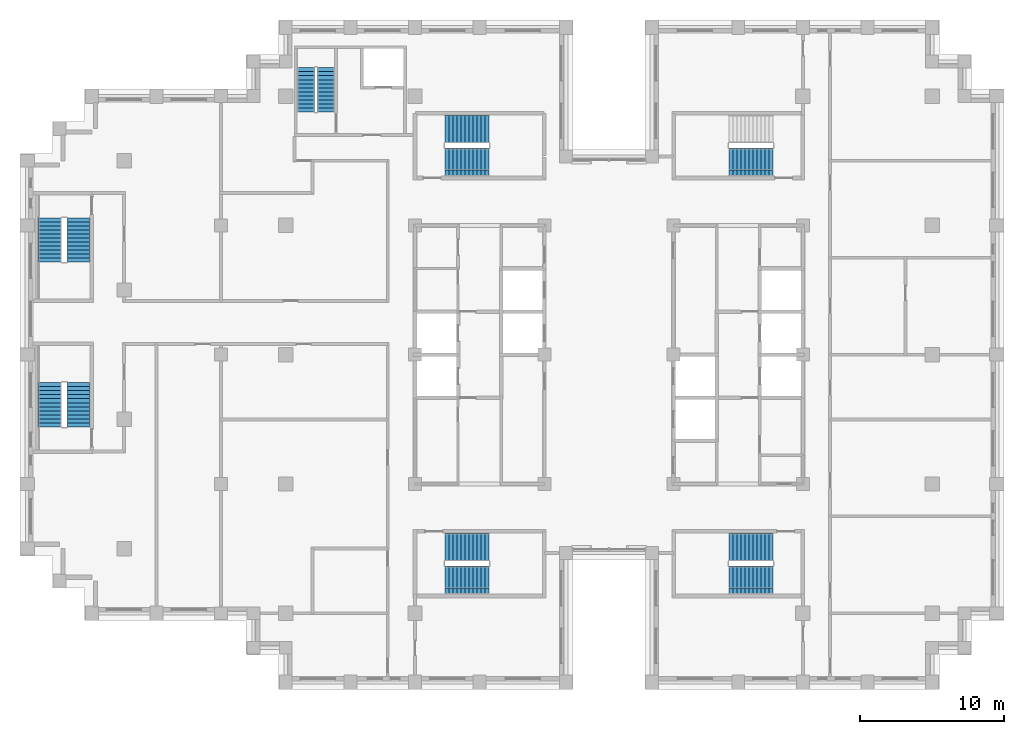
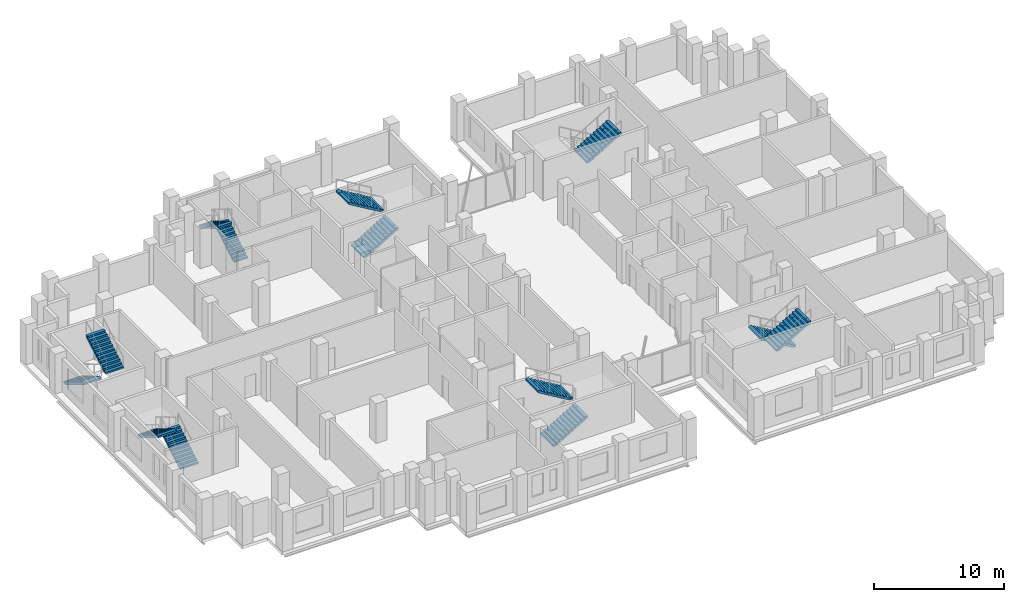
# One storey, part 12 of 15: 13 stair flights, 7 elements without a shape of their own.
"""IFC4 building model written with IfcOpenShell, lengths in metres."""

from ifc_helpers import new_model, si_unit, direction, frame, origin, place, context, subcontext, project, spatial, polyline, outline, extrude, material, type_object, element, aggregate, save


model = new_model("IFC4")

# Units and contexts
model_context = context("Model", 3, precision=1e-05, world=origin(), true_north=direction((0.0, 1.0)))
body_context = subcontext(model_context, "Body", "Model", "MODEL_VIEW")
ifc_project = project(units=[si_unit("LENGTHUNIT", "METRE"), si_unit("AREAUNIT", "SQUARE_METRE"), si_unit("VOLUMEUNIT", "CUBIC_METRE"), si_unit("PLANEANGLEUNIT", "RADIAN"), si_unit("MASSUNIT", "GRAM", prefix="KILO")], contexts=[model_context])

# Site, building, storey
site_placement = place(None, origin())
site = spatial("IfcSite", under=ifc_project, at=site_placement, CompositionType="ELEMENT")
building_placement = place(site_placement, origin())
building = spatial("IfcBuilding", under=site, at=building_placement, Name="Corbelhall Arena Tower", CompositionType="ELEMENT")
storey_placement = place(building_placement, frame((0.0, 0.0, 228.0)))
storey = spatial("IfcBuildingStorey", under=building, at=storey_placement, Name="L48", CompositionType="ELEMENT", Elevation=228.0)

# Stair, stair flights
ifc_material = material(Name="Concrete C40/50", Category="concrete")
stair_type = type_object("IfcStairType", Name="IN-ST-TOWER", PredefinedType="HALF_TURN_STAIR", material=ifc_material)
stair_1_placement = place(storey_placement, origin())
stair_1 = element("IfcStair", 1, at=stair_1_placement, inside=storey, type_object=stair_type, Name="L48 Exit stair ST1", PredefinedType="HALF_TURN_STAIR")
stair_flight_type = type_object("IfcStairFlightType", Name="IN-SFL-RC", PredefinedType="STRAIGHT", material=ifc_material)
stair_flight_1_placement = place(storey_placement, frame((-11.425048828125, 13.39990234375, 0.0), z_axis=(0.0, 0.0, 1.0), x_axis=(1.0, 0.0, 0.0)))
stair_flight_1 = element("IfcStairFlight", 2, at=stair_flight_1_placement, type_object=stair_flight_type, Name="ST1 flight 1", NumberOfRisers=12, NumberOfTreads=11, PredefinedType="STRAIGHT", RiserHeight=0.166666667, TreadLength=0.28, context=body_context, shape_type="SweptSolid", body=[
    extrude(outline(polyline([(0.0, 0.0), (0.0, 0.166748046875), (0.280029296875, 0.166748046875), (0.280029296875, 0.333251953125), (0.56005859375, 0.333251953125), (0.56005859375, 0.5), (0.840087890625, 0.5), (0.840087890625, 0.666748046875), (1.1201171875, 0.666748046875), (1.1201171875, 0.833251953125), (1.39990234375, 0.833251953125), (1.39990234375, 1.0), (1.679931640625, 1.0), (1.679931640625, 1.166748046875), (1.9599609375, 1.166748046875), (1.9599609375, 1.333251953125), (2.239990234375, 1.333251953125), (2.239990234375, 1.5), (2.52001953125, 1.5), (2.52001953125, 1.666748046875), (2.800048828125, 1.666748046875), (2.800048828125, 1.833251953125), (3.080078125, 1.833251953125), (3.080078125, 2.0), (3.080078125, 1.658935546875), (0.29296875, 0.0), (0.0, 0.0)])), frame((0.0, 0.97509765625, 0.0), z_axis=(0.0, -1.0, 0.0), x_axis=(1.0, 0.0, 0.0)), (0.0, 0.0, 1.0), 0.449951171875),
    extrude(outline(polyline([(0.0, 0.0), (0.0, 0.166748046875), (0.280029296875, 0.166748046875), (0.280029296875, 0.333251953125), (0.56005859375, 0.333251953125), (0.56005859375, 0.5), (0.840087890625, 0.5), (0.840087890625, 0.666748046875), (1.1201171875, 0.666748046875), (1.1201171875, 0.833251953125), (1.39990234375, 0.833251953125), (1.39990234375, 1.0), (1.679931640625, 1.0), (1.679931640625, 1.166748046875), (1.9599609375, 1.166748046875), (1.9599609375, 1.333251953125), (2.239990234375, 1.333251953125), (2.239990234375, 1.5), (2.52001953125, 1.5), (2.52001953125, 1.666748046875), (2.800048828125, 1.666748046875), (2.800048828125, 1.833251953125), (3.080078125, 1.833251953125), (3.080078125, 2.0), (3.080078125, 1.658935546875), (0.29296875, 0.0), (0.0, 0.0)])), frame((0.0, 0.52099609375, 0.0), z_axis=(0.0, -1.0, 0.0), x_axis=(1.0, 0.0, 0.0)), (0.0, 0.0, 1.0), 1.0419921875),
    extrude(outline(polyline([(0.0, 0.0), (0.0, 0.166748046875), (0.280029296875, 0.166748046875), (0.280029296875, 0.333251953125), (0.56005859375, 0.333251953125), (0.56005859375, 0.5), (0.840087890625, 0.5), (0.840087890625, 0.666748046875), (1.1201171875, 0.666748046875), (1.1201171875, 0.833251953125), (1.39990234375, 0.833251953125), (1.39990234375, 1.0), (1.679931640625, 1.0), (1.679931640625, 1.166748046875), (1.9599609375, 1.166748046875), (1.9599609375, 1.333251953125), (2.239990234375, 1.333251953125), (2.239990234375, 1.5), (2.52001953125, 1.5), (2.52001953125, 1.666748046875), (2.800048828125, 1.666748046875), (2.800048828125, 1.833251953125), (3.080078125, 1.833251953125), (3.080078125, 2.0), (3.080078125, 1.658935546875), (0.29296875, 0.0), (0.0, 0.0)])), frame((0.0, -0.52490234375, 0.0), z_axis=(0.0, -1.0, 0.0), x_axis=(1.0, 0.0, 0.0)), (0.0, 0.0, 1.0), 0.449951171875),
])
stair_flight_2_placement = place(storey_placement, frame((-8.344970703125, 15.699951171875, 2.0), z_axis=(0.0, 0.0, 1.0), x_axis=(-1.0, 0.0, 0.0)))
stair_flight_2 = element("IfcStairFlight", 3, at=stair_flight_2_placement, type_object=stair_flight_type, Name="ST1 flight 2", NumberOfRisers=12, NumberOfTreads=11, PredefinedType="STRAIGHT", RiserHeight=0.166666667, TreadLength=0.28, context=body_context, shape_type="SweptSolid", body=[
    extrude(outline(polyline([(0.0, 0.0), (0.0, 0.166748046875), (0.280029296875, 0.166748046875), (0.280029296875, 0.333251953125), (0.56005859375, 0.333251953125), (0.56005859375, 0.5), (0.840087890625, 0.5), (0.840087890625, 0.666748046875), (1.1201171875, 0.666748046875), (1.1201171875, 0.833251953125), (1.39990234375, 0.833251953125), (1.39990234375, 1.0), (1.679931640625, 1.0), (1.679931640625, 1.166748046875), (1.9599609375, 1.166748046875), (1.9599609375, 1.333251953125), (2.239990234375, 1.333251953125), (2.239990234375, 1.5), (2.52001953125, 1.5), (2.52001953125, 1.666748046875), (2.800048828125, 1.666748046875), (2.800048828125, 1.833251953125), (3.080078125, 1.833251953125), (3.080078125, 2.0), (3.080078125, 1.658935546875), (0.29296875, 0.0), (0.0, 0.0)])), frame((0.0, 0.97509765625, 0.0), z_axis=(0.0, -1.0, 0.0), x_axis=(1.0, 0.0, 0.0)), (0.0, 0.0, 1.0), 0.449951171875),
    extrude(outline(polyline([(0.0, 0.0), (0.0, 0.166748046875), (0.280029296875, 0.166748046875), (0.280029296875, 0.333251953125), (0.56005859375, 0.333251953125), (0.56005859375, 0.5), (0.840087890625, 0.5), (0.840087890625, 0.666748046875), (1.1201171875, 0.666748046875), (1.1201171875, 0.833251953125), (1.39990234375, 0.833251953125), (1.39990234375, 1.0), (1.679931640625, 1.0), (1.679931640625, 1.166748046875), (1.9599609375, 1.166748046875), (1.9599609375, 1.333251953125), (2.239990234375, 1.333251953125), (2.239990234375, 1.5), (2.52001953125, 1.5), (2.52001953125, 1.666748046875), (2.800048828125, 1.666748046875), (2.800048828125, 1.833251953125), (3.080078125, 1.833251953125), (3.080078125, 2.0), (3.080078125, 1.658935546875), (0.29296875, 0.0), (0.0, 0.0)])), frame((0.0, 0.52099609375, 0.0), z_axis=(0.0, -1.0, 0.0), x_axis=(1.0, 0.0, 0.0)), (0.0, 0.0, 1.0), 1.0419921875),
    extrude(outline(polyline([(0.0, 0.0), (0.0, 0.166748046875), (0.280029296875, 0.166748046875), (0.280029296875, 0.333251953125), (0.56005859375, 0.333251953125), (0.56005859375, 0.5), (0.840087890625, 0.5), (0.840087890625, 0.666748046875), (1.1201171875, 0.666748046875), (1.1201171875, 0.833251953125), (1.39990234375, 0.833251953125), (1.39990234375, 1.0), (1.679931640625, 1.0), (1.679931640625, 1.166748046875), (1.9599609375, 1.166748046875), (1.9599609375, 1.333251953125), (2.239990234375, 1.333251953125), (2.239990234375, 1.5), (2.52001953125, 1.5), (2.52001953125, 1.666748046875), (2.800048828125, 1.666748046875), (2.800048828125, 1.833251953125), (3.080078125, 1.833251953125), (3.080078125, 2.0), (3.080078125, 1.658935546875), (0.29296875, 0.0), (0.0, 0.0)])), frame((0.0, -0.52490234375, 0.0), z_axis=(0.0, -1.0, 0.0), x_axis=(1.0, 0.0, 0.0)), (0.0, 0.0, 1.0), 0.449951171875),
])
aggregate(stair_1, [stair_flight_1, stair_flight_2])

stair_2_placement = place(storey_placement, origin())
stair_2 = element("IfcStair", 4, at=stair_2_placement, inside=storey, type_object=stair_type, Name="L48 Exit stair ST2", PredefinedType="HALF_TURN_STAIR")
stair_flight_3_placement = place(storey_placement, frame((-11.425048828125, -15.699951171875, 0.0), z_axis=(0.0, 0.0, 1.0), x_axis=(1.0, 0.0, 0.0)))
stair_flight_3 = element("IfcStairFlight", 5, at=stair_flight_3_placement, type_object=stair_flight_type, Name="ST2 flight 1", NumberOfRisers=12, NumberOfTreads=11, PredefinedType="STRAIGHT", RiserHeight=0.166666667, TreadLength=0.28, context=body_context, shape_type="SweptSolid", body=[
    extrude(outline(polyline([(0.0, 0.0), (0.0, 0.166748046875), (0.280029296875, 0.166748046875), (0.280029296875, 0.333251953125), (0.56005859375, 0.333251953125), (0.56005859375, 0.5), (0.840087890625, 0.5), (0.840087890625, 0.666748046875), (1.1201171875, 0.666748046875), (1.1201171875, 0.833251953125), (1.39990234375, 0.833251953125), (1.39990234375, 1.0), (1.679931640625, 1.0), (1.679931640625, 1.166748046875), (1.9599609375, 1.166748046875), (1.9599609375, 1.333251953125), (2.239990234375, 1.333251953125), (2.239990234375, 1.5), (2.52001953125, 1.5), (2.52001953125, 1.666748046875), (2.800048828125, 1.666748046875), (2.800048828125, 1.833251953125), (3.080078125, 1.833251953125), (3.080078125, 2.0), (3.080078125, 1.658935546875), (0.29296875, 0.0), (0.0, 0.0)])), frame((0.0, 0.97509765625, 0.0), z_axis=(0.0, -1.0, 0.0), x_axis=(1.0, 0.0, 0.0)), (0.0, 0.0, 1.0), 0.449951171875),
    extrude(outline(polyline([(0.0, 0.0), (0.0, 0.166748046875), (0.280029296875, 0.166748046875), (0.280029296875, 0.333251953125), (0.56005859375, 0.333251953125), (0.56005859375, 0.5), (0.840087890625, 0.5), (0.840087890625, 0.666748046875), (1.1201171875, 0.666748046875), (1.1201171875, 0.833251953125), (1.39990234375, 0.833251953125), (1.39990234375, 1.0), (1.679931640625, 1.0), (1.679931640625, 1.166748046875), (1.9599609375, 1.166748046875), (1.9599609375, 1.333251953125), (2.239990234375, 1.333251953125), (2.239990234375, 1.5), (2.52001953125, 1.5), (2.52001953125, 1.666748046875), (2.800048828125, 1.666748046875), (2.800048828125, 1.833251953125), (3.080078125, 1.833251953125), (3.080078125, 2.0), (3.080078125, 1.658935546875), (0.29296875, 0.0), (0.0, 0.0)])), frame((0.0, 0.52099609375, 0.0), z_axis=(0.0, -1.0, 0.0), x_axis=(1.0, 0.0, 0.0)), (0.0, 0.0, 1.0), 1.0419921875),
    extrude(outline(polyline([(0.0, 0.0), (0.0, 0.166748046875), (0.280029296875, 0.166748046875), (0.280029296875, 0.333251953125), (0.56005859375, 0.333251953125), (0.56005859375, 0.5), (0.840087890625, 0.5), (0.840087890625, 0.666748046875), (1.1201171875, 0.666748046875), (1.1201171875, 0.833251953125), (1.39990234375, 0.833251953125), (1.39990234375, 1.0), (1.679931640625, 1.0), (1.679931640625, 1.166748046875), (1.9599609375, 1.166748046875), (1.9599609375, 1.333251953125), (2.239990234375, 1.333251953125), (2.239990234375, 1.5), (2.52001953125, 1.5), (2.52001953125, 1.666748046875), (2.800048828125, 1.666748046875), (2.800048828125, 1.833251953125), (3.080078125, 1.833251953125), (3.080078125, 2.0), (3.080078125, 1.658935546875), (0.29296875, 0.0), (0.0, 0.0)])), frame((0.0, -0.52490234375, 0.0), z_axis=(0.0, -1.0, 0.0), x_axis=(1.0, 0.0, 0.0)), (0.0, 0.0, 1.0), 0.449951171875),
])
stair_flight_4_placement = place(storey_placement, frame((-8.344970703125, -13.39990234375, 2.0), z_axis=(0.0, 0.0, 1.0), x_axis=(-1.0, 0.0, 0.0)))
stair_flight_4 = element("IfcStairFlight", 6, at=stair_flight_4_placement, type_object=stair_flight_type, Name="ST2 flight 2", NumberOfRisers=12, NumberOfTreads=11, PredefinedType="STRAIGHT", RiserHeight=0.166666667, TreadLength=0.28, context=body_context, shape_type="SweptSolid", body=[
    extrude(outline(polyline([(0.0, 0.0), (0.0, 0.166748046875), (0.280029296875, 0.166748046875), (0.280029296875, 0.333251953125), (0.56005859375, 0.333251953125), (0.56005859375, 0.5), (0.840087890625, 0.5), (0.840087890625, 0.666748046875), (1.1201171875, 0.666748046875), (1.1201171875, 0.833251953125), (1.39990234375, 0.833251953125), (1.39990234375, 1.0), (1.679931640625, 1.0), (1.679931640625, 1.166748046875), (1.9599609375, 1.166748046875), (1.9599609375, 1.333251953125), (2.239990234375, 1.333251953125), (2.239990234375, 1.5), (2.52001953125, 1.5), (2.52001953125, 1.666748046875), (2.800048828125, 1.666748046875), (2.800048828125, 1.833251953125), (3.080078125, 1.833251953125), (3.080078125, 2.0), (3.080078125, 1.658935546875), (0.29296875, 0.0), (0.0, 0.0)])), frame((0.0, 0.97509765625, 0.0), z_axis=(0.0, -1.0, 0.0), x_axis=(1.0, 0.0, 0.0)), (0.0, 0.0, 1.0), 0.449951171875),
    extrude(outline(polyline([(0.0, 0.0), (0.0, 0.166748046875), (0.280029296875, 0.166748046875), (0.280029296875, 0.333251953125), (0.56005859375, 0.333251953125), (0.56005859375, 0.5), (0.840087890625, 0.5), (0.840087890625, 0.666748046875), (1.1201171875, 0.666748046875), (1.1201171875, 0.833251953125), (1.39990234375, 0.833251953125), (1.39990234375, 1.0), (1.679931640625, 1.0), (1.679931640625, 1.166748046875), (1.9599609375, 1.166748046875), (1.9599609375, 1.333251953125), (2.239990234375, 1.333251953125), (2.239990234375, 1.5), (2.52001953125, 1.5), (2.52001953125, 1.666748046875), (2.800048828125, 1.666748046875), (2.800048828125, 1.833251953125), (3.080078125, 1.833251953125), (3.080078125, 2.0), (3.080078125, 1.658935546875), (0.29296875, 0.0), (0.0, 0.0)])), frame((0.0, 0.52099609375, 0.0), z_axis=(0.0, -1.0, 0.0), x_axis=(1.0, 0.0, 0.0)), (0.0, 0.0, 1.0), 1.0419921875),
    extrude(outline(polyline([(0.0, 0.0), (0.0, 0.166748046875), (0.280029296875, 0.166748046875), (0.280029296875, 0.333251953125), (0.56005859375, 0.333251953125), (0.56005859375, 0.5), (0.840087890625, 0.5), (0.840087890625, 0.666748046875), (1.1201171875, 0.666748046875), (1.1201171875, 0.833251953125), (1.39990234375, 0.833251953125), (1.39990234375, 1.0), (1.679931640625, 1.0), (1.679931640625, 1.166748046875), (1.9599609375, 1.166748046875), (1.9599609375, 1.333251953125), (2.239990234375, 1.333251953125), (2.239990234375, 1.5), (2.52001953125, 1.5), (2.52001953125, 1.666748046875), (2.800048828125, 1.666748046875), (2.800048828125, 1.833251953125), (3.080078125, 1.833251953125), (3.080078125, 2.0), (3.080078125, 1.658935546875), (0.29296875, 0.0), (0.0, 0.0)])), frame((0.0, -0.52490234375, 0.0), z_axis=(0.0, -1.0, 0.0), x_axis=(1.0, 0.0, 0.0)), (0.0, 0.0, 1.0), 0.449951171875),
])
aggregate(stair_2, [stair_flight_3, stair_flight_4])

# Stair, stair flight
stair_3_placement = place(storey_placement, origin())
stair_3 = element("IfcStair", 7, at=stair_3_placement, inside=storey, type_object=stair_type, Name="L48 Exit stair ST3", PredefinedType="HALF_TURN_STAIR")
stair_flight_5_placement = place(storey_placement, frame((8.344970703125, 13.39990234375, 2.0), z_axis=(0.0, 0.0, 1.0), x_axis=(1.0, 0.0, 0.0)))
stair_flight_5 = element("IfcStairFlight", 8, at=stair_flight_5_placement, type_object=stair_flight_type, Name="ST3 flight 2", NumberOfRisers=12, NumberOfTreads=11, PredefinedType="STRAIGHT", RiserHeight=0.166666667, TreadLength=0.28, context=body_context, shape_type="SweptSolid", body=[
    extrude(outline(polyline([(0.0, 0.0), (0.0, 0.166748046875), (0.280029296875, 0.166748046875), (0.280029296875, 0.333251953125), (0.56005859375, 0.333251953125), (0.56005859375, 0.5), (0.840087890625, 0.5), (0.840087890625, 0.666748046875), (1.1201171875, 0.666748046875), (1.1201171875, 0.833251953125), (1.39990234375, 0.833251953125), (1.39990234375, 1.0), (1.679931640625, 1.0), (1.679931640625, 1.166748046875), (1.9599609375, 1.166748046875), (1.9599609375, 1.333251953125), (2.239990234375, 1.333251953125), (2.239990234375, 1.5), (2.52001953125, 1.5), (2.52001953125, 1.666748046875), (2.800048828125, 1.666748046875), (2.800048828125, 1.833251953125), (3.080078125, 1.833251953125), (3.080078125, 2.0), (3.080078125, 1.658935546875), (0.29296875, 0.0), (0.0, 0.0)])), frame((0.0, 0.97509765625, 0.0), z_axis=(0.0, -1.0, 0.0), x_axis=(1.0, 0.0, 0.0)), (0.0, 0.0, 1.0), 0.449951171875),
    extrude(outline(polyline([(0.0, 0.0), (0.0, 0.166748046875), (0.280029296875, 0.166748046875), (0.280029296875, 0.333251953125), (0.56005859375, 0.333251953125), (0.56005859375, 0.5), (0.840087890625, 0.5), (0.840087890625, 0.666748046875), (1.1201171875, 0.666748046875), (1.1201171875, 0.833251953125), (1.39990234375, 0.833251953125), (1.39990234375, 1.0), (1.679931640625, 1.0), (1.679931640625, 1.166748046875), (1.9599609375, 1.166748046875), (1.9599609375, 1.333251953125), (2.239990234375, 1.333251953125), (2.239990234375, 1.5), (2.52001953125, 1.5), (2.52001953125, 1.666748046875), (2.800048828125, 1.666748046875), (2.800048828125, 1.833251953125), (3.080078125, 1.833251953125), (3.080078125, 2.0), (3.080078125, 1.658935546875), (0.29296875, 0.0), (0.0, 0.0)])), frame((0.0, 0.52099609375, 0.0), z_axis=(0.0, -1.0, 0.0), x_axis=(1.0, 0.0, 0.0)), (0.0, 0.0, 1.0), 1.0419921875),
    extrude(outline(polyline([(0.0, 0.0), (0.0, 0.166748046875), (0.280029296875, 0.166748046875), (0.280029296875, 0.333251953125), (0.56005859375, 0.333251953125), (0.56005859375, 0.5), (0.840087890625, 0.5), (0.840087890625, 0.666748046875), (1.1201171875, 0.666748046875), (1.1201171875, 0.833251953125), (1.39990234375, 0.833251953125), (1.39990234375, 1.0), (1.679931640625, 1.0), (1.679931640625, 1.166748046875), (1.9599609375, 1.166748046875), (1.9599609375, 1.333251953125), (2.239990234375, 1.333251953125), (2.239990234375, 1.5), (2.52001953125, 1.5), (2.52001953125, 1.666748046875), (2.800048828125, 1.666748046875), (2.800048828125, 1.833251953125), (3.080078125, 1.833251953125), (3.080078125, 2.0), (3.080078125, 1.658935546875), (0.29296875, 0.0), (0.0, 0.0)])), frame((0.0, -0.52490234375, 0.0), z_axis=(0.0, -1.0, 0.0), x_axis=(1.0, 0.0, 0.0)), (0.0, 0.0, 1.0), 0.449951171875),
])
aggregate(stair_3, [stair_flight_5])

# Stair, stair flights
stair_4_placement = place(storey_placement, origin())
stair_4 = element("IfcStair", 9, at=stair_4_placement, inside=storey, type_object=stair_type, Name="L48 Exit stair ST4", PredefinedType="HALF_TURN_STAIR")
stair_flight_6_placement = place(storey_placement, frame((11.425048828125, -13.39990234375, 0.0), z_axis=(0.0, 0.0, 1.0), x_axis=(-1.0, 0.0, 0.0)))
stair_flight_6 = element("IfcStairFlight", 10, at=stair_flight_6_placement, type_object=stair_flight_type, Name="ST4 flight 1", NumberOfRisers=12, NumberOfTreads=11, PredefinedType="STRAIGHT", RiserHeight=0.166666667, TreadLength=0.28, context=body_context, shape_type="SweptSolid", body=[
    extrude(outline(polyline([(0.0, 0.0), (0.0, 0.166748046875), (0.280029296875, 0.166748046875), (0.280029296875, 0.333251953125), (0.56005859375, 0.333251953125), (0.56005859375, 0.5), (0.840087890625, 0.5), (0.840087890625, 0.666748046875), (1.1201171875, 0.666748046875), (1.1201171875, 0.833251953125), (1.39990234375, 0.833251953125), (1.39990234375, 1.0), (1.679931640625, 1.0), (1.679931640625, 1.166748046875), (1.9599609375, 1.166748046875), (1.9599609375, 1.333251953125), (2.239990234375, 1.333251953125), (2.239990234375, 1.5), (2.52001953125, 1.5), (2.52001953125, 1.666748046875), (2.800048828125, 1.666748046875), (2.800048828125, 1.833251953125), (3.080078125, 1.833251953125), (3.080078125, 2.0), (3.080078125, 1.658935546875), (0.29296875, 0.0), (0.0, 0.0)])), frame((0.0, 0.97509765625, 0.0), z_axis=(0.0, -1.0, 0.0), x_axis=(1.0, 0.0, 0.0)), (0.0, 0.0, 1.0), 0.449951171875),
    extrude(outline(polyline([(0.0, 0.0), (0.0, 0.166748046875), (0.280029296875, 0.166748046875), (0.280029296875, 0.333251953125), (0.56005859375, 0.333251953125), (0.56005859375, 0.5), (0.840087890625, 0.5), (0.840087890625, 0.666748046875), (1.1201171875, 0.666748046875), (1.1201171875, 0.833251953125), (1.39990234375, 0.833251953125), (1.39990234375, 1.0), (1.679931640625, 1.0), (1.679931640625, 1.166748046875), (1.9599609375, 1.166748046875), (1.9599609375, 1.333251953125), (2.239990234375, 1.333251953125), (2.239990234375, 1.5), (2.52001953125, 1.5), (2.52001953125, 1.666748046875), (2.800048828125, 1.666748046875), (2.800048828125, 1.833251953125), (3.080078125, 1.833251953125), (3.080078125, 2.0), (3.080078125, 1.658935546875), (0.29296875, 0.0), (0.0, 0.0)])), frame((0.0, 0.52099609375, 0.0), z_axis=(0.0, -1.0, 0.0), x_axis=(1.0, 0.0, 0.0)), (0.0, 0.0, 1.0), 1.0419921875),
    extrude(outline(polyline([(0.0, 0.0), (0.0, 0.166748046875), (0.280029296875, 0.166748046875), (0.280029296875, 0.333251953125), (0.56005859375, 0.333251953125), (0.56005859375, 0.5), (0.840087890625, 0.5), (0.840087890625, 0.666748046875), (1.1201171875, 0.666748046875), (1.1201171875, 0.833251953125), (1.39990234375, 0.833251953125), (1.39990234375, 1.0), (1.679931640625, 1.0), (1.679931640625, 1.166748046875), (1.9599609375, 1.166748046875), (1.9599609375, 1.333251953125), (2.239990234375, 1.333251953125), (2.239990234375, 1.5), (2.52001953125, 1.5), (2.52001953125, 1.666748046875), (2.800048828125, 1.666748046875), (2.800048828125, 1.833251953125), (3.080078125, 1.833251953125), (3.080078125, 2.0), (3.080078125, 1.658935546875), (0.29296875, 0.0), (0.0, 0.0)])), frame((0.0, -0.52490234375, 0.0), z_axis=(0.0, -1.0, 0.0), x_axis=(1.0, 0.0, 0.0)), (0.0, 0.0, 1.0), 0.449951171875),
])
stair_flight_7_placement = place(storey_placement, frame((8.344970703125, -15.699951171875, 2.0), z_axis=(0.0, 0.0, 1.0), x_axis=(1.0, 0.0, 0.0)))
stair_flight_7 = element("IfcStairFlight", 11, at=stair_flight_7_placement, type_object=stair_flight_type, Name="ST4 flight 2", NumberOfRisers=12, NumberOfTreads=11, PredefinedType="STRAIGHT", RiserHeight=0.166666667, TreadLength=0.28, context=body_context, shape_type="SweptSolid", body=[
    extrude(outline(polyline([(0.0, 0.0), (0.0, 0.166748046875), (0.280029296875, 0.166748046875), (0.280029296875, 0.333251953125), (0.56005859375, 0.333251953125), (0.56005859375, 0.5), (0.840087890625, 0.5), (0.840087890625, 0.666748046875), (1.1201171875, 0.666748046875), (1.1201171875, 0.833251953125), (1.39990234375, 0.833251953125), (1.39990234375, 1.0), (1.679931640625, 1.0), (1.679931640625, 1.166748046875), (1.9599609375, 1.166748046875), (1.9599609375, 1.333251953125), (2.239990234375, 1.333251953125), (2.239990234375, 1.5), (2.52001953125, 1.5), (2.52001953125, 1.666748046875), (2.800048828125, 1.666748046875), (2.800048828125, 1.833251953125), (3.080078125, 1.833251953125), (3.080078125, 2.0), (3.080078125, 1.658935546875), (0.29296875, 0.0), (0.0, 0.0)])), frame((0.0, 0.97509765625, 0.0), z_axis=(0.0, -1.0, 0.0), x_axis=(1.0, 0.0, 0.0)), (0.0, 0.0, 1.0), 0.449951171875),
    extrude(outline(polyline([(0.0, 0.0), (0.0, 0.166748046875), (0.280029296875, 0.166748046875), (0.280029296875, 0.333251953125), (0.56005859375, 0.333251953125), (0.56005859375, 0.5), (0.840087890625, 0.5), (0.840087890625, 0.666748046875), (1.1201171875, 0.666748046875), (1.1201171875, 0.833251953125), (1.39990234375, 0.833251953125), (1.39990234375, 1.0), (1.679931640625, 1.0), (1.679931640625, 1.166748046875), (1.9599609375, 1.166748046875), (1.9599609375, 1.333251953125), (2.239990234375, 1.333251953125), (2.239990234375, 1.5), (2.52001953125, 1.5), (2.52001953125, 1.666748046875), (2.800048828125, 1.666748046875), (2.800048828125, 1.833251953125), (3.080078125, 1.833251953125), (3.080078125, 2.0), (3.080078125, 1.658935546875), (0.29296875, 0.0), (0.0, 0.0)])), frame((0.0, 0.52099609375, 0.0), z_axis=(0.0, -1.0, 0.0), x_axis=(1.0, 0.0, 0.0)), (0.0, 0.0, 1.0), 1.0419921875),
    extrude(outline(polyline([(0.0, 0.0), (0.0, 0.166748046875), (0.280029296875, 0.166748046875), (0.280029296875, 0.333251953125), (0.56005859375, 0.333251953125), (0.56005859375, 0.5), (0.840087890625, 0.5), (0.840087890625, 0.666748046875), (1.1201171875, 0.666748046875), (1.1201171875, 0.833251953125), (1.39990234375, 0.833251953125), (1.39990234375, 1.0), (1.679931640625, 1.0), (1.679931640625, 1.166748046875), (1.9599609375, 1.166748046875), (1.9599609375, 1.333251953125), (2.239990234375, 1.333251953125), (2.239990234375, 1.5), (2.52001953125, 1.5), (2.52001953125, 1.666748046875), (2.800048828125, 1.666748046875), (2.800048828125, 1.833251953125), (3.080078125, 1.833251953125), (3.080078125, 2.0), (3.080078125, 1.658935546875), (0.29296875, 0.0), (0.0, 0.0)])), frame((0.0, -0.52490234375, 0.0), z_axis=(0.0, -1.0, 0.0), x_axis=(1.0, 0.0, 0.0)), (0.0, 0.0, 1.0), 0.449951171875),
])
aggregate(stair_4, [stair_flight_6, stair_flight_7])

stair_5_placement = place(storey_placement, origin())
stair_5 = element("IfcStair", 12, at=stair_5_placement, inside=storey, type_object=stair_type, Name="L48 Exit stair SC1", PredefinedType="HALF_TURN_STAIR")
stair_flight_8_placement = place(storey_placement, frame((-38.89990234375, 9.52490234375, 0.0), z_axis=(0.0, 0.0, 1.0), x_axis=(0.0, -1.0, 0.0)))
stair_flight_8 = element("IfcStairFlight", 13, at=stair_flight_8_placement, type_object=stair_flight_type, Name="SC1 flight 1", NumberOfRisers=12, NumberOfTreads=11, PredefinedType="STRAIGHT", RiserHeight=0.166666667, TreadLength=0.28, context=body_context, shape_type="SweptSolid", body=[
    extrude(outline(polyline([(0.0, 0.0), (0.0, 0.166748046875), (0.280029296875, 0.166748046875), (0.280029296875, 0.333251953125), (0.56005859375, 0.333251953125), (0.56005859375, 0.5), (0.840087890625, 0.5), (0.840087890625, 0.666748046875), (1.1201171875, 0.666748046875), (1.1201171875, 0.833251953125), (1.39990234375, 0.833251953125), (1.39990234375, 1.0), (1.679931640625, 1.0), (1.679931640625, 1.166748046875), (1.9599609375, 1.166748046875), (1.9599609375, 1.333251953125), (2.239990234375, 1.333251953125), (2.239990234375, 1.5), (2.52001953125, 1.5), (2.52001953125, 1.666748046875), (2.800048828125, 1.666748046875), (2.800048828125, 1.833251953125), (3.080078125, 1.833251953125), (3.080078125, 2.0), (3.080078125, 1.658935546875), (0.29296875, 0.0), (0.0, 0.0)])), frame((0.0, 0.800048828125, 0.0), z_axis=(0.0, -1.0, 0.0), x_axis=(1.0, 0.0, 0.0)), (0.0, 0.0, 1.0), 1.60009765625),
])
stair_flight_9_placement = place(storey_placement, frame((-36.925048828125, 6.445068359375, 2.0), z_axis=(0.0, 0.0, 1.0), x_axis=(0.0, 1.0, 0.0)))
stair_flight_9 = element("IfcStairFlight", 14, at=stair_flight_9_placement, type_object=stair_flight_type, Name="SC1 flight 2", NumberOfRisers=12, NumberOfTreads=11, PredefinedType="STRAIGHT", RiserHeight=0.166666667, TreadLength=0.28, context=body_context, shape_type="SweptSolid", body=[
    extrude(outline(polyline([(0.0, 0.0), (0.0, 0.166748046875), (0.280029296875, 0.166748046875), (0.280029296875, 0.333251953125), (0.56005859375, 0.333251953125), (0.56005859375, 0.5), (0.840087890625, 0.5), (0.840087890625, 0.666748046875), (1.1201171875, 0.666748046875), (1.1201171875, 0.833251953125), (1.39990234375, 0.833251953125), (1.39990234375, 1.0), (1.679931640625, 1.0), (1.679931640625, 1.166748046875), (1.9599609375, 1.166748046875), (1.9599609375, 1.333251953125), (2.239990234375, 1.333251953125), (2.239990234375, 1.5), (2.52001953125, 1.5), (2.52001953125, 1.666748046875), (2.800048828125, 1.666748046875), (2.800048828125, 1.833251953125), (3.080078125, 1.833251953125), (3.080078125, 2.0), (3.080078125, 1.658935546875), (0.29296875, 0.0), (0.0, 0.0)])), frame((0.0, 0.800048828125, 0.0), z_axis=(0.0, -1.0, 0.0), x_axis=(1.0, 0.0, 0.0)), (0.0, 0.0, 1.0), 1.60009765625),
])
aggregate(stair_5, [stair_flight_8, stair_flight_9])

stair_6_placement = place(storey_placement, origin())
stair_6 = element("IfcStair", 15, at=stair_6_placement, inside=storey, type_object=stair_type, Name="L48 Exit stair SC2", PredefinedType="HALF_TURN_STAIR")
stair_flight_10_placement = place(storey_placement, frame((-36.925048828125, -5.02490234375, 0.0), z_axis=(0.0, 0.0, 1.0), x_axis=(0.0, 1.0, 0.0)))
stair_flight_10 = element("IfcStairFlight", 16, at=stair_flight_10_placement, type_object=stair_flight_type, Name="SC2 flight 1", NumberOfRisers=12, NumberOfTreads=11, PredefinedType="STRAIGHT", RiserHeight=0.166666667, TreadLength=0.28, context=body_context, shape_type="SweptSolid", body=[
    extrude(outline(polyline([(0.0, 0.0), (0.0, 0.166748046875), (0.280029296875, 0.166748046875), (0.280029296875, 0.333251953125), (0.56005859375, 0.333251953125), (0.56005859375, 0.5), (0.840087890625, 0.5), (0.840087890625, 0.666748046875), (1.1201171875, 0.666748046875), (1.1201171875, 0.833251953125), (1.39990234375, 0.833251953125), (1.39990234375, 1.0), (1.679931640625, 1.0), (1.679931640625, 1.166748046875), (1.9599609375, 1.166748046875), (1.9599609375, 1.333251953125), (2.239990234375, 1.333251953125), (2.239990234375, 1.5), (2.52001953125, 1.5), (2.52001953125, 1.666748046875), (2.800048828125, 1.666748046875), (2.800048828125, 1.833251953125), (3.080078125, 1.833251953125), (3.080078125, 2.0), (3.080078125, 1.658935546875), (0.29296875, 0.0), (0.0, 0.0)])), frame((0.0, 0.800048828125, 0.0), z_axis=(0.0, -1.0, 0.0), x_axis=(1.0, 0.0, 0.0)), (0.0, 0.0, 1.0), 1.60009765625),
])
stair_flight_11_placement = place(storey_placement, frame((-38.89990234375, -1.945068359375, 2.0), z_axis=(0.0, 0.0, 1.0), x_axis=(0.0, -1.0, 0.0)))
stair_flight_11 = element("IfcStairFlight", 17, at=stair_flight_11_placement, type_object=stair_flight_type, Name="SC2 flight 2", NumberOfRisers=12, NumberOfTreads=11, PredefinedType="STRAIGHT", RiserHeight=0.166666667, TreadLength=0.28, context=body_context, shape_type="SweptSolid", body=[
    extrude(outline(polyline([(0.0, 0.0), (0.0, 0.166748046875), (0.280029296875, 0.166748046875), (0.280029296875, 0.333251953125), (0.56005859375, 0.333251953125), (0.56005859375, 0.5), (0.840087890625, 0.5), (0.840087890625, 0.666748046875), (1.1201171875, 0.666748046875), (1.1201171875, 0.833251953125), (1.39990234375, 0.833251953125), (1.39990234375, 1.0), (1.679931640625, 1.0), (1.679931640625, 1.166748046875), (1.9599609375, 1.166748046875), (1.9599609375, 1.333251953125), (2.239990234375, 1.333251953125), (2.239990234375, 1.5), (2.52001953125, 1.5), (2.52001953125, 1.666748046875), (2.800048828125, 1.666748046875), (2.800048828125, 1.833251953125), (3.080078125, 1.833251953125), (3.080078125, 2.0), (3.080078125, 1.658935546875), (0.29296875, 0.0), (0.0, 0.0)])), frame((0.0, 0.800048828125, 0.0), z_axis=(0.0, -1.0, 0.0), x_axis=(1.0, 0.0, 0.0)), (0.0, 0.0, 1.0), 1.60009765625),
])
aggregate(stair_6, [stair_flight_10, stair_flight_11])

stair_7_placement = place(storey_placement, origin())
stair_7 = element("IfcStair", 18, at=stair_7_placement, inside=storey, type_object=stair_type, Name="L48 Exit stair ST5", PredefinedType="HALF_TURN_STAIR")
stair_flight_12_placement = place(storey_placement, frame((-19.695068359375, 16.89990234375, 0.0), z_axis=(0.0, 0.0, 1.0), x_axis=(0.0, 1.0, 0.0)))
stair_flight_12 = element("IfcStairFlight", 19, at=stair_flight_12_placement, type_object=stair_flight_type, Name="ST5 flight 1", NumberOfRisers=12, NumberOfTreads=11, PredefinedType="STRAIGHT", RiserHeight=0.166666667, TreadLength=0.28, context=body_context, shape_type="SweptSolid", body=[
    extrude(outline(polyline([(0.0, 0.0), (0.0, 0.166748046875), (0.280029296875, 0.166748046875), (0.280029296875, 0.333251953125), (0.56005859375, 0.333251953125), (0.56005859375, 0.5), (0.840087890625, 0.5), (0.840087890625, 0.666748046875), (1.1201171875, 0.666748046875), (1.1201171875, 0.833251953125), (1.39990234375, 0.833251953125), (1.39990234375, 1.0), (1.679931640625, 1.0), (1.679931640625, 1.166748046875), (1.9599609375, 1.166748046875), (1.9599609375, 1.333251953125), (2.239990234375, 1.333251953125), (2.239990234375, 1.5), (2.52001953125, 1.5), (2.52001953125, 1.666748046875), (2.800048828125, 1.666748046875), (2.800048828125, 1.833251953125), (3.080078125, 1.833251953125), (3.080078125, 2.0), (3.080078125, 1.658935546875), (0.29296875, 0.0), (0.0, 0.0)])), frame((0.0, 0.60009765625, 0.0), z_axis=(0.0, -1.0, 0.0), x_axis=(1.0, 0.0, 0.0)), (0.0, 0.0, 1.0), 1.199951171875),
])
stair_flight_13_placement = place(storey_placement, frame((-21.094970703125, 19.97998046875, 2.0), z_axis=(0.0, 0.0, 1.0), x_axis=(0.0, -1.0, 0.0)))
stair_flight_13 = element("IfcStairFlight", 20, at=stair_flight_13_placement, type_object=stair_flight_type, Name="ST5 flight 2", NumberOfRisers=12, NumberOfTreads=11, PredefinedType="STRAIGHT", RiserHeight=0.166666667, TreadLength=0.28, context=body_context, shape_type="SweptSolid", body=[
    extrude(outline(polyline([(0.0, 0.0), (0.0, 0.166748046875), (0.280029296875, 0.166748046875), (0.280029296875, 0.333251953125), (0.56005859375, 0.333251953125), (0.56005859375, 0.5), (0.840087890625, 0.5), (0.840087890625, 0.666748046875), (1.1201171875, 0.666748046875), (1.1201171875, 0.833251953125), (1.39990234375, 0.833251953125), (1.39990234375, 1.0), (1.679931640625, 1.0), (1.679931640625, 1.166748046875), (1.9599609375, 1.166748046875), (1.9599609375, 1.333251953125), (2.239990234375, 1.333251953125), (2.239990234375, 1.5), (2.52001953125, 1.5), (2.52001953125, 1.666748046875), (2.800048828125, 1.666748046875), (2.800048828125, 1.833251953125), (3.080078125, 1.833251953125), (3.080078125, 2.0), (3.080078125, 1.658935546875), (0.29296875, 0.0), (0.0, 0.0)])), frame((0.0, 0.60009765625, 0.0), z_axis=(0.0, -1.0, 0.0), x_axis=(1.0, 0.0, 0.0)), (0.0, 0.0, 1.0), 1.199951171875),
])
aggregate(stair_7, [stair_flight_12, stair_flight_13])

save(model, "model.ifc")
